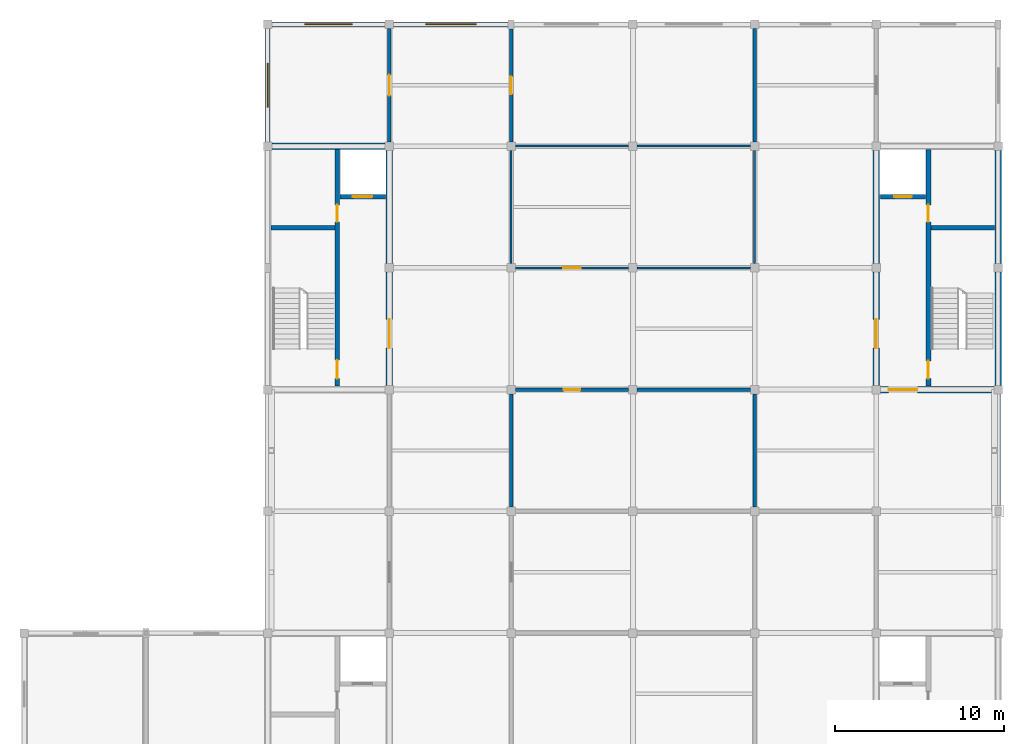
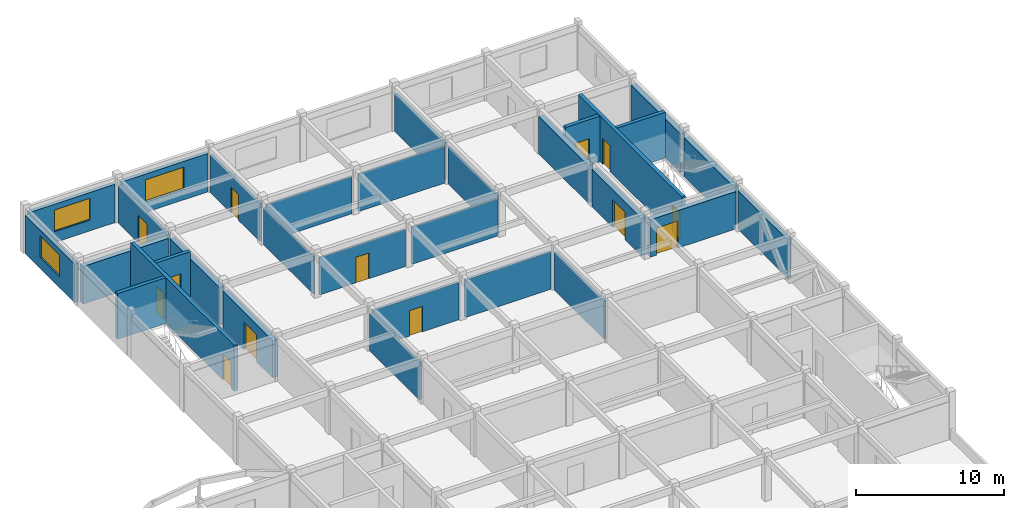
# One storey, part 8 of 10: 31 walls, 13 doors, 3 windows, 16 openings.
"""IFC4 building model written with IfcOpenShell, lengths in metres."""

from ifc_helpers import new_model, si_unit, direction, frame, frame_2d, origin, place, context, subcontext, project, spatial, rectangle, extrude, material, layer, layer_set, type_object, element, fill, save


model = new_model("IFC4")

# Units and contexts
model_context = context("Model", 3, precision=1e-05, world=origin(), true_north=direction((0.0, 1.0)))
body_context = subcontext(model_context, "Body", "Model", "MODEL_VIEW")
ifc_project = project(units=[si_unit("LENGTHUNIT", "METRE"), si_unit("AREAUNIT", "SQUARE_METRE"), si_unit("VOLUMEUNIT", "CUBIC_METRE"), si_unit("PLANEANGLEUNIT", "RADIAN"), si_unit("MASSUNIT", "GRAM", prefix="KILO")], contexts=[model_context])

# Site, building, storey
site_placement = place(None, origin())
site = spatial("IfcSite", under=ifc_project, at=site_placement, CompositionType="ELEMENT")
building_placement = place(site_placement, origin())
building = spatial("IfcBuilding", under=site, at=building_placement, Name="Cendaluz Park School", CompositionType="ELEMENT")
storey_placement = place(building_placement, frame((0.0, 0.0, 51.0)))
storey = spatial("IfcBuildingStorey", under=building, at=storey_placement, Name="L12", CompositionType="ELEMENT", Elevation=51.0)

# Wall, opening, door
ifc_material_1 = material(Name="Gypsum Plasterboard on Cold-Formed Stud", Category="gypsum")
ifc_layer_1 = layer(ifc_material_1, 0.199951171875)
ifc_layer_set_1 = layer_set([ifc_layer_1], Name="Gypsum Plasterboard on Cold-Formed Stud")
wall_type_1 = type_object("IfcWallType", Name="W-AC20", PredefinedType="PARTITIONING", material=ifc_layer_set_1)
wall_1_placement = place(storey_placement, frame((72.0, 57.85009765625, 0.0), z_axis=(0.0, 0.0, 1.0), x_axis=(0.0, 1.0, 0.0)))
wall_1 = element("IfcWall", 1, at=wall_1_placement, inside=storey, type_object=wall_type_1, Name="WL-FM-BL9", PredefinedType="PARTITIONING", context=body_context, shape_type="SweptSolid", body=[
    extrude(rectangle(XDim=6.699951171875, YDim=0.199951171875, at=frame_2d((3.35009765625, 0.0))), origin(), (0.0, 0.0, 1.0), 3.090087890625),
])
opening_1_placement = place(wall_1_placement, frame((2.72998046875, 0.0, 0.0)))
opening_1 = element("IfcOpeningElement", 2, at=opening_1_placement, cuts=wall_1, Name="Opening DCL-09", PredefinedType="OPENING", context=body_context, shape_type="SweptSolid", body=[
    extrude(rectangle(XDim=1.239990234375, YDim=2.260009765625, at=frame_2d((0.6201171875, 1.1298828125))), frame((0.0, 0.112060546875, 0.0), z_axis=(0.0, -1.0, 0.0), x_axis=(1.0, 0.0, 0.0)), (0.0, 0.0, 1.0), 0.223876953125),
])
ifc_material_2 = material(Name="Solid Core Hardwood", Category="wood")
door_type_1 = type_object("IfcDoorType", Name="DCL-09", OperationType="NOTDEFINED", PredefinedType="DOOR", material=ifc_material_2)
door_1_placement = place(opening_1_placement, origin())
door_1 = element("IfcDoor", 3, at=door_1_placement, inside=storey, type_object=door_type_1, Name="D-L12-024", OperationType="SINGLE_SWING_LEFT", OverallHeight=2.260009765625, OverallWidth=1.239990234375, PredefinedType="DOOR", context=body_context, shape_type="SweptSolid", body=[
    extrude(rectangle(XDim=1.239990234375, YDim=2.260009765625, at=frame_2d((0.6201171875, 1.1298828125))), frame((0.0, 0.02490234375, 0.0), z_axis=(0.0, -1.0, 0.0), x_axis=(1.0, 0.0, 0.0)), (0.0, 0.0, 1.0), 0.050048828125),
])
fill(opening_1, door_1)

wall_2_placement = place(storey_placement, frame((79.449951171875, 43.199951171875, 0.0), z_axis=(0.0, 0.0, 1.0), x_axis=(1.0, 0.0, 0.0)))
wall_2 = element("IfcWall", 4, at=wall_2_placement, inside=storey, type_object=wall_type_1, Name="WL-FM-BM3", PredefinedType="PARTITIONING", context=body_context, shape_type="SweptSolid", body=[
    extrude(rectangle(XDim=6.699951171875, YDim=0.199951171875, at=frame_2d((3.35009765625, 0.0))), origin(), (0.0, 0.0, 1.0), 3.090087890625),
])
opening_2_placement = place(wall_2_placement, frame((2.85009765625, 0.0, 0.0)))
opening_2 = element("IfcOpeningElement", 5, at=opening_2_placement, cuts=wall_2, Name="Opening DCL-01", PredefinedType="OPENING", context=body_context, shape_type="SweptSolid", body=[
    extrude(rectangle(XDim=1.0, YDim=2.10009765625, at=frame_2d((0.5, 1.050048828125))), frame((0.0, 0.112060546875, 0.0), z_axis=(0.0, -1.0, 0.0), x_axis=(1.0, 0.0, 0.0)), (0.0, 0.0, 1.0), 0.223876953125),
])
door_type_2 = type_object("IfcDoorType", Name="DCL-01", OperationType="NOTDEFINED", PredefinedType="DOOR", material=ifc_material_2)
door_2_placement = place(opening_2_placement, frame((1.0, 0.0, 0.0), z_axis=(0.0, 0.0, 1.0), x_axis=(-1.0, 0.0, 0.0)))
door_2 = element("IfcDoor", 6, at=door_2_placement, inside=storey, type_object=door_type_2, Name="D-L12-026", OperationType="SINGLE_SWING_LEFT", OverallHeight=2.10009765625, OverallWidth=1.0, PredefinedType="DOOR", context=body_context, shape_type="SweptSolid", body=[
    extrude(rectangle(XDim=1.0, YDim=2.10009765625, at=frame_2d((0.5, 1.050048828125))), frame((0.0, 0.02490234375, 0.0), z_axis=(0.0, -1.0, 0.0), x_axis=(1.0, 0.0, 0.0)), (0.0, 0.0, 1.0), 0.050048828125),
])
fill(opening_2, door_2)

# Walls
wall_3_placement = place(storey_placement, frame((79.199951171875, 36.25, 0.0), z_axis=(0.0, 0.0, 1.0), x_axis=(0.0, 1.0, 0.0)))
element("IfcWall", 7, at=wall_3_placement, inside=storey, type_object=wall_type_1, Name="WL-FM-BM4", PredefinedType="PARTITIONING", context=body_context, shape_type="SweptSolid", body=[
    extrude(rectangle(XDim=6.699951171875, YDim=0.199951171875, at=frame_2d((3.35009765625, 0.0))), origin(), (0.0, 0.0, 1.0), 3.090087890625),
])
wall_4_placement = place(storey_placement, frame((86.64990234375, 43.199951171875, 0.0), z_axis=(0.0, 0.0, 1.0), x_axis=(1.0, 0.0, 0.0)))
element("IfcWall", 8, at=wall_4_placement, inside=storey, type_object=wall_type_1, Name="WL-FM-BM5", PredefinedType="PARTITIONING", context=body_context, shape_type="SweptSolid", body=[
    extrude(rectangle(XDim=6.7001953125, YDim=0.199951171875, at=frame_2d((3.35009765625, 0.0))), origin(), (0.0, 0.0, 1.0), 3.090087890625),
])
wall_5_placement = place(storey_placement, frame((93.60009765625, 36.25, 0.0), z_axis=(0.0, 0.0, 1.0), x_axis=(0.0, 1.0, 0.0)))
element("IfcWall", 9, at=wall_5_placement, inside=storey, type_object=wall_type_1, Name="WL-FM-BM6", PredefinedType="PARTITIONING", context=body_context, shape_type="SweptSolid", body=[
    extrude(rectangle(XDim=6.699951171875, YDim=0.199951171875, at=frame_2d((3.35009765625, 0.0))), origin(), (0.0, 0.0, 1.0), 3.090087890625),
])

# Wall, opening, door
wall_6_placement = place(storey_placement, frame((79.199951171875, 57.85009765625, 0.0), z_axis=(0.0, 0.0, 1.0), x_axis=(0.0, 1.0, 0.0)))
wall_6 = element("IfcWall", 10, at=wall_6_placement, inside=storey, type_object=wall_type_1, Name="WL-FM-BN3", PredefinedType="PARTITIONING", context=body_context, shape_type="SweptSolid", body=[
    extrude(rectangle(XDim=6.68994140625, YDim=0.199951171875, at=frame_2d((3.344970703125, 0.0))), origin(), (0.0, 0.0, 1.0), 3.090087890625),
])
opening_3_placement = place(wall_6_placement, frame((2.824951171875, 0.0, 0.0)))
opening_3 = element("IfcOpeningElement", 11, at=opening_3_placement, cuts=wall_6, Name="Opening DCL-03", PredefinedType="OPENING", context=body_context, shape_type="SweptSolid", body=[
    extrude(rectangle(XDim=1.0400390625, YDim=2.139892578125, at=frame_2d((0.52001953125, 1.06982421875))), frame((0.0, 0.112060546875, 0.0), z_axis=(0.0, -1.0, 0.0), x_axis=(1.0, 0.0, 0.0)), (0.0, 0.0, 1.0), 0.223876953125),
])
door_type_3 = type_object("IfcDoorType", Name="DCL-03", OperationType="NOTDEFINED", PredefinedType="DOOR", material=ifc_material_2)
door_3_placement = place(opening_3_placement, frame((1.0400390625, 0.0, 0.0), z_axis=(0.0, 0.0, 1.0), x_axis=(-1.0, 0.0, 0.0)))
door_3 = element("IfcDoor", 12, at=door_3_placement, inside=storey, type_object=door_type_3, Name="D-L12-028", OperationType="SINGLE_SWING_LEFT", OverallHeight=2.139892578125, OverallWidth=1.0400390625, PredefinedType="DOOR", context=body_context, shape_type="SweptSolid", body=[
    extrude(rectangle(XDim=1.0400390625, YDim=2.139892578125, at=frame_2d((0.52001953125, 1.06982421875))), frame((0.0, 0.02490234375, 0.0), z_axis=(0.0, -1.0, 0.0), x_axis=(1.0, 0.0, 0.0)), (0.0, 0.0, 1.0), 0.050048828125),
])
fill(opening_3, door_3)

# Wall
wall_7_placement = place(storey_placement, frame((93.60009765625, 57.85009765625, 0.0), z_axis=(0.0, 0.0, 1.0), x_axis=(0.0, 1.0, 0.0)))
element("IfcWall", 13, at=wall_7_placement, inside=storey, type_object=wall_type_1, Name="WL-FM-BN4", PredefinedType="PARTITIONING", context=body_context, shape_type="SweptSolid", body=[
    extrude(rectangle(XDim=6.699951171875, YDim=0.199951171875, at=frame_2d((3.35009765625, 0.0))), origin(), (0.0, 0.0, 1.0), 3.090087890625),
])

# Wall, opening, window
ifc_material_3 = material(Name="Cross-laminated timber CLT C24", Category="wood")
ifc_layer_2 = layer(ifc_material_3, 0.300048828125)
ifc_layer_set_2 = layer_set([ifc_layer_2], Name="Cross-laminated timber CLT C24")
wall_type_2 = type_object("IfcWallType", Name="W-EX30", PredefinedType="SOLIDWALL", material=ifc_layer_set_2)
wall_8_placement = place(storey_placement, frame((65.050048828125, 64.800048828125, 0.0), z_axis=(0.0, 0.0, 1.0), x_axis=(1.0, 0.0, 0.0)))
wall_8 = element("IfcWall", 14, at=wall_8_placement, inside=storey, type_object=wall_type_2, Name="WL-FM-AB0", PredefinedType="SOLIDWALL", context=body_context, shape_type="SweptSolid", body=[
    extrude(rectangle(XDim=6.699951171875, YDim=0.300048828125, at=frame_2d((3.35009765625, 0.0))), origin(), (0.0, 0.0, 1.0), 3.169921875),
])
opening_4_placement = place(wall_8_placement, frame((1.949951171875, 0.0, 0.89990234375)))
opening_4 = element("IfcOpeningElement", 15, at=opening_4_placement, cuts=wall_8, Name="Opening WN-06", PredefinedType="OPENING", context=body_context, shape_type="SweptSolid", body=[
    extrude(rectangle(XDim=2.800048828125, YDim=1.800048828125, at=frame_2d((1.39990234375, 0.89990234375))), frame((0.0, 0.162109375, 0.0), z_axis=(0.0, -1.0, 0.0), x_axis=(1.0, 0.0, 0.0)), (0.0, 0.0, 1.0), 0.323974609375),
])
ifc_material_4 = material(Name="Tempered Low-E Double Glazing", Category="glass")
window_type_1 = type_object("IfcWindowType", Name="WN-06", PartitioningType="SINGLE_PANEL", PredefinedType="WINDOW", material=ifc_material_4)
window_1_placement = place(opening_4_placement, origin())
window_1 = element("IfcWindow", 16, at=window_1_placement, inside=storey, type_object=window_type_1, Name="WN-L12-009", OverallHeight=1.800048828125, OverallWidth=2.800048828125, PartitioningType="SINGLE_PANEL", PredefinedType="WINDOW", context=body_context, shape_type="SweptSolid", body=[
    extrude(rectangle(XDim=2.800048828125, YDim=1.800048828125, at=frame_2d((1.39990234375, 0.89990234375))), frame((0.0, 0.030029296875, 0.0), z_axis=(0.0, -1.0, 0.0), x_axis=(1.0, 0.0, 0.0)), (0.0, 0.0, 1.0), 0.06005859375),
])
fill(opening_4, window_1)

wall_9_placement = place(storey_placement, frame((64.800048828125, 57.85009765625, 0.0), z_axis=(0.0, 0.0, 1.0), x_axis=(0.0, 1.0, 0.0)))
wall_9 = element("IfcWall", 17, at=wall_9_placement, inside=storey, type_object=wall_type_2, Name="WL-FM-AB1", PredefinedType="SOLIDWALL", context=body_context, shape_type="SweptSolid", body=[
    extrude(rectangle(XDim=6.699951171875, YDim=0.300048828125, at=frame_2d((3.35009765625, 0.0))), origin(), (0.0, 0.0, 1.0), 3.169921875),
])
opening_5_placement = place(wall_9_placement, frame((2.050048828125, 0.0, 0.89990234375)))
opening_5 = element("IfcOpeningElement", 18, at=opening_5_placement, cuts=wall_9, Name="Opening WN-05", PredefinedType="OPENING", context=body_context, shape_type="SweptSolid", body=[
    extrude(rectangle(XDim=2.60009765625, YDim=1.800048828125, at=frame_2d((1.300048828125, 0.89990234375))), frame((0.0, 0.162109375, 0.0), z_axis=(0.0, -1.0, 0.0), x_axis=(1.0, 0.0, 0.0)), (0.0, 0.0, 1.0), 0.323974609375),
])
window_type_2 = type_object("IfcWindowType", Name="WN-05", PartitioningType="SINGLE_PANEL", PredefinedType="WINDOW", material=ifc_material_4)
window_2_placement = place(opening_5_placement, origin())
window_2 = element("IfcWindow", 19, at=window_2_placement, inside=storey, type_object=window_type_2, Name="WN-L12-010", OverallHeight=1.800048828125, OverallWidth=2.60009765625, PartitioningType="SINGLE_PANEL", PredefinedType="WINDOW", context=body_context, shape_type="SweptSolid", body=[
    extrude(rectangle(XDim=2.60009765625, YDim=1.800048828125, at=frame_2d((1.300048828125, 0.89990234375))), frame((0.0, 0.030029296875, 0.0), z_axis=(0.0, -1.0, 0.0), x_axis=(1.0, 0.0, 0.0)), (0.0, 0.0, 1.0), 0.06005859375),
])
fill(opening_5, window_2)

wall_10_placement = place(storey_placement, frame((72.25, 64.800048828125, 0.0), z_axis=(0.0, 0.0, 1.0), x_axis=(1.0, 0.0, 0.0)))
wall_10 = element("IfcWall", 20, at=wall_10_placement, inside=storey, type_object=wall_type_2, Name="WL-FM-AB3", PredefinedType="SOLIDWALL", context=body_context, shape_type="SweptSolid", body=[
    extrude(rectangle(XDim=6.77001953125, YDim=0.300048828125, at=frame_2d((3.385009765625, 0.0))), origin(), (0.0, 0.0, 1.0), 3.169921875),
])
opening_6_placement = place(wall_10_placement, frame((1.885009765625, 0.0, 0.89990234375)))
opening_6 = element("IfcOpeningElement", 21, at=opening_6_placement, cuts=wall_10, Name="Opening WN-07", PredefinedType="OPENING", context=body_context, shape_type="SweptSolid", body=[
    extrude(rectangle(XDim=3.0, YDim=1.800048828125, at=frame_2d((1.5, 0.89990234375))), frame((0.0, 0.162109375, 0.0), z_axis=(0.0, -1.0, 0.0), x_axis=(1.0, 0.0, 0.0)), (0.0, 0.0, 1.0), 0.323974609375),
])
window_type_3 = type_object("IfcWindowType", Name="WN-07", PartitioningType="SINGLE_PANEL", PredefinedType="WINDOW", material=ifc_material_4)
window_3_placement = place(opening_6_placement, origin())
window_3 = element("IfcWindow", 22, at=window_3_placement, inside=storey, type_object=window_type_3, Name="WN-L12-012", OverallHeight=1.800048828125, OverallWidth=3.0, PartitioningType="SINGLE_PANEL", PredefinedType="WINDOW", context=body_context, shape_type="SweptSolid", body=[
    extrude(rectangle(XDim=3.0, YDim=1.800048828125, at=frame_2d((1.5, 0.89990234375))), frame((0.0, 0.030029296875, 0.0), z_axis=(0.0, -1.0, 0.0), x_axis=(1.0, 0.0, 0.0)), (0.0, 0.0, 1.0), 0.06005859375),
])
fill(opening_6, window_3)

# Wall
wall_11_placement = place(storey_placement, frame((108.0, 36.260009765625, 0.0), z_axis=(0.0, 0.0, 1.0), x_axis=(0.0, 1.0, 0.0)))
element("IfcWall", 23, at=wall_11_placement, inside=storey, type_object=wall_type_2, Name="WL-FM-AC2", PredefinedType="SOLIDWALL", context=body_context, shape_type="SweptSolid", body=[
    extrude(rectangle(XDim=6.68994140625, YDim=0.300048828125, at=frame_2d((3.344970703125, 0.0))), origin(), (0.0, 0.0, 1.0), 3.169921875),
])

# Wall, openings, doors
ifc_material_5 = material(Name="Concrete C40/50", Category="concrete")
ifc_layer_3 = layer(ifc_material_5, 0.280029296875)
ifc_layer_set_3 = layer_set([ifc_layer_3], Name="Concrete C40/50")
wall_type_3 = type_object("IfcWallType", Name="W-FW28", PredefinedType="SHEAR", material=ifc_layer_set_3)
wall_12_placement = place(storey_placement, frame((68.919921875, 43.39990234375, 0.0), z_axis=(0.0, 0.0, 1.0), x_axis=(0.0, 1.0, 0.0)))
wall_12 = element("IfcWall", 24, at=wall_12_placement, inside=storey, type_object=wall_type_3, Name="WL-FM-BJ1", PredefinedType="SHEAR", context=body_context, shape_type="SweptSolid", body=[
    extrude(rectangle(XDim=14.0, YDim=0.280029296875, at=frame_2d((7.0, 0.0))), origin(), (0.0, 0.0, 1.0), 3.780029296875),
])
opening_7_placement = place(wall_12_placement, frame((0.449951171875, 0.0, 0.0)))
opening_7 = element("IfcOpeningElement", 25, at=opening_7_placement, cuts=wall_12, Name="Opening DST-01", PredefinedType="OPENING", context=body_context, shape_type="SweptSolid", body=[
    extrude(rectangle(XDim=1.10009765625, YDim=2.14990234375, at=frame_2d((0.550048828125, 1.074951171875))), frame((0.0, 0.152099609375, 0.0), z_axis=(0.0, -1.0, 0.0), x_axis=(1.0, 0.0, 0.0)), (0.0, 0.0, 1.0), 0.303955078125),
])
opening_8_placement = place(wall_12_placement, frame((9.719970703125, 0.0, 0.0)))
opening_8 = element("IfcOpeningElement", 26, at=opening_8_placement, cuts=wall_12, Name="Opening DFC-01", PredefinedType="OPENING", context=body_context, shape_type="SweptSolid", body=[
    extrude(rectangle(XDim=1.0, YDim=2.14990234375, at=frame_2d((0.5, 1.074951171875))), frame((0.0, 0.152099609375, 0.0), z_axis=(0.0, -1.0, 0.0), x_axis=(1.0, 0.0, 0.0)), (0.0, 0.0, 1.0), 0.303955078125),
])
door_type_4 = type_object("IfcDoorType", Name="DFC-01", OperationType="NOTDEFINED", PredefinedType="DOOR", material=ifc_material_2)
door_4_placement = place(opening_8_placement, origin())
door_4 = element("IfcDoor", 27, at=door_4_placement, inside=storey, type_object=door_type_4, Name="D-L12-012", OperationType="SINGLE_SWING_RIGHT", OverallHeight=2.14990234375, OverallWidth=1.0, PredefinedType="DOOR", context=body_context, shape_type="SweptSolid", body=[
    extrude(rectangle(XDim=1.0, YDim=2.14990234375, at=frame_2d((0.5, 1.074951171875))), frame((0.0, 0.02490234375, 0.0), z_axis=(0.0, -1.0, 0.0), x_axis=(1.0, 0.0, 0.0)), (0.0, 0.0, 1.0), 0.050048828125),
])
fill(opening_8, door_4)
door_type_5 = type_object("IfcDoorType", Name="DST-01", OperationType="NOTDEFINED", PredefinedType="DOOR", material=ifc_material_2)
door_5_placement = place(opening_7_placement, origin())
door_5 = element("IfcDoor", 28, at=door_5_placement, inside=storey, type_object=door_type_5, Name="D-L12-011", OperationType="SINGLE_SWING_LEFT", OverallHeight=2.14990234375, OverallWidth=1.10009765625, PredefinedType="DOOR", context=body_context, shape_type="SweptSolid", body=[
    extrude(rectangle(XDim=1.10009765625, YDim=2.14990234375, at=frame_2d((0.550048828125, 1.074951171875))), frame((0.0, 0.02490234375, 0.0), z_axis=(0.0, -1.0, 0.0), x_axis=(1.0, 0.0, 0.0)), (0.0, 0.0, 1.0), 0.050048828125),
])
fill(opening_7, door_5)

# Wall
wall_13_placement = place(storey_placement, frame((65.0, 52.780029296875, 0.0), z_axis=(0.0, 0.0, 1.0), x_axis=(1.0, 0.0, 0.0)))
element("IfcWall", 29, at=wall_13_placement, inside=storey, type_object=wall_type_3, Name="WL-FM-BJ2", PredefinedType="SHEAR", context=body_context, shape_type="SweptSolid", body=[
    extrude(rectangle(XDim=3.780029296875, YDim=0.280029296875, at=frame_2d((1.89013671875, 0.0))), origin(), (0.0, 0.0, 1.0), 3.780029296875),
])

# Wall, opening, door
wall_14_placement = place(storey_placement, frame((69.080078125, 54.60009765625, 0.0), z_axis=(0.0, 0.0, 1.0), x_axis=(1.0, 0.0, 0.0)))
wall_14 = element("IfcWall", 30, at=wall_14_placement, inside=storey, type_object=wall_type_3, Name="WL-FM-BJ3", PredefinedType="SHEAR", context=body_context, shape_type="SweptSolid", body=[
    extrude(rectangle(XDim=2.679931640625, YDim=0.280029296875, at=frame_2d((1.33984375, 0.0))), origin(), (0.0, 0.0, 1.0), 3.780029296875),
])
opening_9_placement = place(wall_14_placement, frame((0.764892578125, 0.0, 0.0)))
opening_9 = element("IfcOpeningElement", 31, at=opening_9_placement, cuts=wall_14, Name="Opening LD-01", PredefinedType="OPENING", context=body_context, shape_type="SweptSolid", body=[
    extrude(rectangle(XDim=1.14990234375, YDim=2.199951171875, at=frame_2d((0.574951171875, 1.10009765625))), frame((0.0, 0.152099609375, 0.0), z_axis=(0.0, -1.0, 0.0), x_axis=(1.0, 0.0, 0.0)), (0.0, 0.0, 1.0), 0.303955078125),
])
ifc_material_6 = material(Name="Stainless Steel 316L", Category="steel")
door_type_6 = type_object("IfcDoorType", Name="LD-01", OperationType="DOUBLE_DOOR_SLIDING", PredefinedType="DOOR", material=ifc_material_6)
door_6_placement = place(opening_9_placement, frame((1.14990234375, 0.0, 0.0), z_axis=(0.0, 0.0, 1.0), x_axis=(-1.0, 0.0, 0.0)))
door_6 = element("IfcDoor", 32, at=door_6_placement, inside=storey, type_object=door_type_6, Name="D-L12-013", OperationType="DOUBLE_DOOR_SLIDING", OverallHeight=2.199951171875, OverallWidth=1.14990234375, PredefinedType="DOOR", context=body_context, shape_type="SweptSolid", body=[
    extrude(rectangle(XDim=1.14990234375, YDim=2.199951171875, at=frame_2d((0.574951171875, 1.10009765625))), frame((0.0, 0.02490234375, 0.0), z_axis=(0.0, -1.0, 0.0), x_axis=(1.0, 0.0, 0.0)), (0.0, 0.0, 1.0), 0.050048828125),
])
fill(opening_9, door_6)

# Wall, openings, doors
wall_15_placement = place(storey_placement, frame((103.8798828125, 43.39990234375, 0.0), z_axis=(0.0, 0.0, 1.0), x_axis=(0.0, 1.0, 0.0)))
wall_15 = element("IfcWall", 33, at=wall_15_placement, inside=storey, type_object=wall_type_3, Name="WL-FM-BK0", PredefinedType="SHEAR", context=body_context, shape_type="SweptSolid", body=[
    extrude(rectangle(XDim=14.0, YDim=0.280029296875, at=frame_2d((7.0, 0.0))), origin(), (0.0, 0.0, 1.0), 3.780029296875),
])
opening_10_placement = place(wall_15_placement, frame((0.449951171875, 0.0, 0.0)))
opening_10 = element("IfcOpeningElement", 34, at=opening_10_placement, cuts=wall_15, Name="Opening DST-02", PredefinedType="OPENING", context=body_context, shape_type="SweptSolid", body=[
    extrude(rectangle(XDim=1.050048828125, YDim=2.14990234375, at=frame_2d((0.52490234375, 1.074951171875))), frame((0.0, 0.152099609375, 0.0), z_axis=(0.0, -1.0, 0.0), x_axis=(1.0, 0.0, 0.0)), (0.0, 0.0, 1.0), 0.303955078125),
])
opening_11_placement = place(wall_15_placement, frame((9.719970703125, 0.0, 0.0)))
opening_11 = element("IfcOpeningElement", 35, at=opening_11_placement, cuts=wall_15, Name="Opening DFC-01", PredefinedType="OPENING", context=body_context, shape_type="SweptSolid", body=[
    extrude(rectangle(XDim=1.0, YDim=2.14990234375, at=frame_2d((0.5, 1.074951171875))), frame((0.0, 0.152099609375, 0.0), z_axis=(0.0, -1.0, 0.0), x_axis=(1.0, 0.0, 0.0)), (0.0, 0.0, 1.0), 0.303955078125),
])
door_7_placement = place(opening_11_placement, frame((1.0, 0.0, 0.0), z_axis=(0.0, 0.0, 1.0), x_axis=(-1.0, 0.0, 0.0)))
door_7 = element("IfcDoor", 36, at=door_7_placement, inside=storey, type_object=door_type_4, Name="D-L12-017", OperationType="SINGLE_SWING_RIGHT", OverallHeight=2.14990234375, OverallWidth=1.0, PredefinedType="DOOR", context=body_context, shape_type="SweptSolid", body=[
    extrude(rectangle(XDim=1.0, YDim=2.14990234375, at=frame_2d((0.5, 1.074951171875))), frame((0.0, 0.02490234375, 0.0), z_axis=(0.0, -1.0, 0.0), x_axis=(1.0, 0.0, 0.0)), (0.0, 0.0, 1.0), 0.050048828125),
])
fill(opening_11, door_7)
door_type_7 = type_object("IfcDoorType", Name="DST-02", OperationType="NOTDEFINED", PredefinedType="DOOR", material=ifc_material_2)
door_8_placement = place(opening_10_placement, frame((1.050048828125, 0.0, 0.0), z_axis=(0.0, 0.0, 1.0), x_axis=(-1.0, 0.0, 0.0)))
door_8 = element("IfcDoor", 37, at=door_8_placement, inside=storey, type_object=door_type_7, Name="D-L12-016", OperationType="SINGLE_SWING_RIGHT", OverallHeight=2.14990234375, OverallWidth=1.050048828125, PredefinedType="DOOR", context=body_context, shape_type="SweptSolid", body=[
    extrude(rectangle(XDim=1.050048828125, YDim=2.14990234375, at=frame_2d((0.52490234375, 1.074951171875))), frame((0.0, 0.02490234375, 0.0), z_axis=(0.0, -1.0, 0.0), x_axis=(1.0, 0.0, 0.0)), (0.0, 0.0, 1.0), 0.050048828125),
])
fill(opening_10, door_8)

# Wall
wall_16_placement = place(storey_placement, frame((104.02001953125, 52.780029296875, 0.0), z_axis=(0.0, 0.0, 1.0), x_axis=(1.0, 0.0, 0.0)))
element("IfcWall", 38, at=wall_16_placement, inside=storey, type_object=wall_type_3, Name="WL-FM-BK1", PredefinedType="SHEAR", context=body_context, shape_type="SweptSolid", body=[
    extrude(rectangle(XDim=3.780029296875, YDim=0.280029296875, at=frame_2d((1.89013671875, 0.0))), origin(), (0.0, 0.0, 1.0), 3.780029296875),
])

# Wall, opening, door
wall_17_placement = place(storey_placement, frame((101.0400390625, 54.60009765625, 0.0), z_axis=(0.0, 0.0, 1.0), x_axis=(1.0, 0.0, 0.0)))
wall_17 = element("IfcWall", 39, at=wall_17_placement, inside=storey, type_object=wall_type_3, Name="WL-FM-BK2", PredefinedType="SHEAR", context=body_context, shape_type="SweptSolid", body=[
    extrude(rectangle(XDim=2.679931640625, YDim=0.280029296875, at=frame_2d((1.33984375, 0.0))), origin(), (0.0, 0.0, 1.0), 3.780029296875),
])
opening_12_placement = place(wall_17_placement, frame((0.81494140625, 0.0, 0.0)))
opening_12 = element("IfcOpeningElement", 40, at=opening_12_placement, cuts=wall_17, Name="Opening LD-02", PredefinedType="OPENING", context=body_context, shape_type="SweptSolid", body=[
    extrude(rectangle(XDim=1.050048828125, YDim=2.199951171875, at=frame_2d((0.52490234375, 1.10009765625))), frame((0.0, 0.152099609375, 0.0), z_axis=(0.0, -1.0, 0.0), x_axis=(1.0, 0.0, 0.0)), (0.0, 0.0, 1.0), 0.303955078125),
])
door_type_8 = type_object("IfcDoorType", Name="LD-02", OperationType="DOUBLE_DOOR_SLIDING", PredefinedType="DOOR", material=ifc_material_6)
door_9_placement = place(opening_12_placement, frame((1.050048828125, 0.0, 0.0), z_axis=(0.0, 0.0, 1.0), x_axis=(-1.0, 0.0, 0.0)))
door_9 = element("IfcDoor", 41, at=door_9_placement, inside=storey, type_object=door_type_8, Name="D-L12-018", OperationType="DOUBLE_DOOR_SLIDING", OverallHeight=2.199951171875, OverallWidth=1.050048828125, PredefinedType="DOOR", context=body_context, shape_type="SweptSolid", body=[
    extrude(rectangle(XDim=1.050048828125, YDim=2.199951171875, at=frame_2d((0.52490234375, 1.10009765625))), frame((0.0, 0.02490234375, 0.0), z_axis=(0.0, -1.0, 0.0), x_axis=(1.0, 0.0, 0.0)), (0.0, 0.0, 1.0), 0.050048828125),
])
fill(opening_12, door_9)

ifc_layer_4 = layer(ifc_material_1, 0.1201171875)
ifc_layer_set_4 = layer_set([ifc_layer_4], Name="Gypsum Plasterboard on Cold-Formed Stud")
wall_type_4 = type_object("IfcWallType", Name="W-MV12", PredefinedType="MOVABLE", material=ifc_layer_set_4)
wall_18_placement = place(storey_placement, frame((79.449951171875, 50.39990234375, 0.0), z_axis=(0.0, 0.0, 1.0), x_axis=(1.0, 0.0, 0.0)))
wall_18 = element("IfcWall", 42, at=wall_18_placement, inside=storey, type_object=wall_type_4, Name="WL-FM-BM7", PredefinedType="MOVABLE", context=body_context, shape_type="SweptSolid", body=[
    extrude(rectangle(XDim=6.699951171875, YDim=0.1201171875, at=frame_2d((3.35009765625, 0.0))), origin(), (0.0, 0.0, 1.0), 3.090087890625),
])
opening_13_placement = place(wall_18_placement, frame((2.840087890625, 0.0, 0.0)))
opening_13 = element("IfcOpeningElement", 43, at=opening_13_placement, cuts=wall_18, Name="Opening DCL-02", PredefinedType="OPENING", context=body_context, shape_type="SweptSolid", body=[
    extrude(rectangle(XDim=1.02001953125, YDim=2.1201171875, at=frame_2d((0.510009765625, 1.06005859375))), frame((0.0, 0.072021484375, 0.0), z_axis=(0.0, -1.0, 0.0), x_axis=(1.0, 0.0, 0.0)), (0.0, 0.0, 1.0), 0.14404296875),
])
door_type_9 = type_object("IfcDoorType", Name="DCL-02", OperationType="NOTDEFINED", PredefinedType="DOOR", material=ifc_material_2)
door_10_placement = place(opening_13_placement, origin())
door_10 = element("IfcDoor", 44, at=door_10_placement, inside=storey, type_object=door_type_9, Name="D-L12-027", OperationType="SINGLE_SWING_RIGHT", OverallHeight=2.1201171875, OverallWidth=1.02001953125, PredefinedType="DOOR", context=body_context, shape_type="SweptSolid", body=[
    extrude(rectangle(XDim=1.02001953125, YDim=2.1201171875, at=frame_2d((0.510009765625, 1.06005859375))), frame((0.0, 0.02490234375, 0.0), z_axis=(0.0, -1.0, 0.0), x_axis=(1.0, 0.0, 0.0)), (0.0, 0.0, 1.0), 0.050048828125),
])
fill(opening_13, door_10)

# Walls
wall_19_placement = place(storey_placement, frame((79.449951171875, 57.60009765625, 0.0), z_axis=(0.0, 0.0, 1.0), x_axis=(1.0, 0.0, 0.0)))
element("IfcWall", 45, at=wall_19_placement, inside=storey, type_object=wall_type_4, Name="WL-FM-BM8", PredefinedType="MOVABLE", context=body_context, shape_type="SweptSolid", body=[
    extrude(rectangle(XDim=6.699951171875, YDim=0.1201171875, at=frame_2d((3.35009765625, 0.0))), origin(), (0.0, 0.0, 1.0), 3.090087890625),
])
for number, where, z_axis, x_axis, name in (
    (46, (79.199951171875, 50.64990234375, 0.0), (0.0, 0.0, 1.0), (0.0, 1.0, 0.0), "WL-FM-BM9"),
    (47, (86.64990234375, 50.39990234375, 0.0), (0.0, 0.0, 1.0), (1.0, 0.0, 0.0), "WL-FM-BN0"),
    (48, (86.64990234375, 57.60009765625, 0.0), (0.0, 0.0, 1.0), (1.0, 0.0, 0.0), "WL-FM-BN1"),
    (49, (93.60009765625, 50.64990234375, 0.0), (0.0, 0.0, 1.0), (0.0, 1.0, 0.0), "WL-FM-BN2"),
):
    element("IfcWall", number, at=place(storey_placement, frame(where, z_axis=z_axis, x_axis=x_axis)), inside=storey, type_object=wall_type_4, Name=name, PredefinedType="MOVABLE", context=body_context, shape_type="SweptSolid", body=[
        extrude(rectangle(XDim=6.7001953125, YDim=0.1201171875, at=frame_2d((3.35009765625, 0.0))), origin(), (0.0, 0.0, 1.0), 3.090087890625),
    ])

# Wall, opening, door
ifc_layer_5 = layer(ifc_material_5, 0.3798828125)
ifc_layer_set_5 = layer_set([ifc_layer_5], Name="Concrete C40/50")
wall_type_5 = type_object("IfcWallType", Name="W-SH38", PredefinedType="SHEAR", material=ifc_layer_set_5)
wall_20_placement = place(storey_placement, frame((72.0, 43.449951171875, 0.0), z_axis=(0.0, 0.0, 1.0), x_axis=(0.0, 1.0, 0.0)))
wall_20 = element("IfcWall", 50, at=wall_20_placement, inside=storey, type_object=wall_type_5, Name="WL-FM-BI7", PredefinedType="SHEAR", context=body_context, shape_type="SweptSolid", body=[
    extrude(rectangle(XDim=6.699951171875, YDim=0.3798828125, at=frame_2d((3.35009765625, 0.0))), origin(), (0.0, 0.0, 1.0), 3.090087890625),
])
opening_14_placement = place(wall_20_placement, frame((2.199951171875, 0.0, 0.0)))
opening_14 = element("IfcOpeningElement", 51, at=opening_14_placement, cuts=wall_20, Name="Opening DLB-02", PredefinedType="OPENING", context=body_context, shape_type="SweptSolid", body=[
    extrude(rectangle(XDim=1.699951171875, YDim=2.25, at=frame_2d((0.85009765625, 1.125))), frame((0.0, 0.201904296875, 0.0), z_axis=(0.0, -1.0, 0.0), x_axis=(1.0, 0.0, 0.0)), (0.0, 0.0, 1.0), 0.40380859375),
])
door_type_10 = type_object("IfcDoorType", Name="DLB-02", OperationType="DOUBLE_DOOR_SINGLE_SWING", PredefinedType="DOOR", material=ifc_material_2)
door_11_placement = place(opening_14_placement, origin())
door_11 = element("IfcDoor", 52, at=door_11_placement, inside=storey, type_object=door_type_10, Name="D-L12-010", OperationType="DOUBLE_DOOR_SINGLE_SWING", OverallHeight=2.25, OverallWidth=1.699951171875, PredefinedType="DOOR", context=body_context, shape_type="SweptSolid", body=[
    extrude(rectangle(XDim=1.699951171875, YDim=2.25, at=frame_2d((0.85009765625, 1.125))), frame((0.0, 0.02490234375, 0.0), z_axis=(0.0, -1.0, 0.0), x_axis=(1.0, 0.0, 0.0)), (0.0, 0.0, 1.0), 0.050048828125),
])
fill(opening_14, door_11)

# Walls
wall_21_placement = place(storey_placement, frame((72.0, 50.64990234375, 0.0), z_axis=(0.0, 0.0, 1.0), x_axis=(0.0, 1.0, 0.0)))
element("IfcWall", 53, at=wall_21_placement, inside=storey, type_object=wall_type_5, Name="WL-FM-BI8", PredefinedType="SHEAR", context=body_context, shape_type="SweptSolid", body=[
    extrude(rectangle(XDim=6.7001953125, YDim=0.3798828125, at=frame_2d((3.35009765625, 0.0))), origin(), (0.0, 0.0, 1.0), 3.090087890625),
])
wall_22_placement = place(storey_placement, frame((65.050048828125, 57.60009765625, 0.0), z_axis=(0.0, 0.0, 1.0), x_axis=(1.0, 0.0, 0.0)))
element("IfcWall", 54, at=wall_22_placement, inside=storey, type_object=wall_type_5, Name="WL-FM-BJ0", PredefinedType="SHEAR", context=body_context, shape_type="SweptSolid", body=[
    extrude(rectangle(XDim=6.699951171875, YDim=0.3798828125, at=frame_2d((3.35009765625, 0.0))), origin(), (0.0, 0.0, 1.0), 3.090087890625),
])

# Wall, opening, door
wall_23_placement = place(storey_placement, frame((100.800048828125, 43.449951171875, 0.0), z_axis=(0.0, 0.0, 1.0), x_axis=(0.0, 1.0, 0.0)))
wall_23 = element("IfcWall", 55, at=wall_23_placement, inside=storey, type_object=wall_type_5, Name="WL-FM-BJ4", PredefinedType="SHEAR", context=body_context, shape_type="SweptSolid", body=[
    extrude(rectangle(XDim=6.699951171875, YDim=0.3798828125, at=frame_2d((3.35009765625, 0.0))), origin(), (0.0, 0.0, 1.0), 3.090087890625),
])
opening_15_placement = place(wall_23_placement, frame((2.199951171875, 0.0, 0.0)))
opening_15 = element("IfcOpeningElement", 56, at=opening_15_placement, cuts=wall_23, Name="Opening DLB-02", PredefinedType="OPENING", context=body_context, shape_type="SweptSolid", body=[
    extrude(rectangle(XDim=1.699951171875, YDim=2.25, at=frame_2d((0.85009765625, 1.125))), frame((0.0, 0.201904296875, 0.0), z_axis=(0.0, -1.0, 0.0), x_axis=(1.0, 0.0, 0.0)), (0.0, 0.0, 1.0), 0.40380859375),
])
door_12_placement = place(opening_15_placement, frame((1.699951171875, 0.0, 0.0), z_axis=(0.0, 0.0, 1.0), x_axis=(-1.0, 0.0, 0.0)))
door_12 = element("IfcDoor", 57, at=door_12_placement, inside=storey, type_object=door_type_10, Name="D-L12-014", OperationType="DOUBLE_DOOR_SINGLE_SWING", OverallHeight=2.25, OverallWidth=1.699951171875, PredefinedType="DOOR", context=body_context, shape_type="SweptSolid", body=[
    extrude(rectangle(XDim=1.699951171875, YDim=2.25, at=frame_2d((0.85009765625, 1.125))), frame((0.0, 0.02490234375, 0.0), z_axis=(0.0, -1.0, 0.0), x_axis=(1.0, 0.0, 0.0)), (0.0, 0.0, 1.0), 0.050048828125),
])
fill(opening_15, door_12)

# Walls
wall_24_placement = place(storey_placement, frame((100.800048828125, 50.64990234375, 0.0), z_axis=(0.0, 0.0, 1.0), x_axis=(0.0, 1.0, 0.0)))
element("IfcWall", 58, at=wall_24_placement, inside=storey, type_object=wall_type_5, Name="WL-FM-BJ5", PredefinedType="SHEAR", context=body_context, shape_type="SweptSolid", body=[
    extrude(rectangle(XDim=6.7001953125, YDim=0.3798828125, at=frame_2d((3.35009765625, 0.0))), origin(), (0.0, 0.0, 1.0), 3.090087890625),
])
wall_25_placement = place(storey_placement, frame((108.0, 43.449951171875, 0.0), z_axis=(0.0, 0.0, 1.0), x_axis=(0.0, 1.0, 0.0)))
element("IfcWall", 59, at=wall_25_placement, inside=storey, type_object=wall_type_5, Name="WL-FM-BJ6", PredefinedType="SHEAR", context=body_context, shape_type="SweptSolid", body=[
    extrude(rectangle(XDim=6.699951171875, YDim=0.3798828125, at=frame_2d((3.35009765625, 0.0))), origin(), (0.0, 0.0, 1.0), 3.169921875),
])
wall_26_placement = place(storey_placement, frame((108.0, 50.64990234375, 0.0), z_axis=(0.0, 0.0, 1.0), x_axis=(0.0, 1.0, 0.0)))
element("IfcWall", 60, at=wall_26_placement, inside=storey, type_object=wall_type_5, Name="WL-FM-BJ7", PredefinedType="SHEAR", context=body_context, shape_type="SweptSolid", body=[
    extrude(rectangle(XDim=6.7001953125, YDim=0.3798828125, at=frame_2d((3.35009765625, 0.0))), origin(), (0.0, 0.0, 1.0), 3.169921875),
])

# Wall, opening, door
wall_27_placement = place(storey_placement, frame((101.050048828125, 43.199951171875, 0.0), z_axis=(0.0, 0.0, 1.0), x_axis=(1.0, 0.0, 0.0)))
wall_27 = element("IfcWall", 61, at=wall_27_placement, inside=storey, type_object=wall_type_5, Name="WL-FM-BJ8", PredefinedType="SHEAR", context=body_context, shape_type="SweptSolid", body=[
    extrude(rectangle(XDim=6.699951171875, YDim=0.3798828125, at=frame_2d((3.35009765625, 0.0))), origin(), (0.0, 0.0, 1.0), 3.090087890625),
])
opening_16_placement = place(wall_27_placement, frame((0.47998046875, 0.0, 0.0)))
opening_16 = element("IfcOpeningElement", 62, at=opening_16_placement, cuts=wall_27, Name="Opening DLB-02", PredefinedType="OPENING", context=body_context, shape_type="SweptSolid", body=[
    extrude(rectangle(XDim=1.699951171875, YDim=2.25, at=frame_2d((0.85009765625, 1.125))), frame((0.0, 0.201904296875, 0.0), z_axis=(0.0, -1.0, 0.0), x_axis=(1.0, 0.0, 0.0)), (0.0, 0.0, 1.0), 0.40380859375),
])
door_13_placement = place(opening_16_placement, origin())
door_13 = element("IfcDoor", 63, at=door_13_placement, inside=storey, type_object=door_type_10, Name="D-L12-015", OperationType="DOUBLE_DOOR_SINGLE_SWING", OverallHeight=2.25, OverallWidth=1.699951171875, PredefinedType="DOOR", context=body_context, shape_type="SweptSolid", body=[
    extrude(rectangle(XDim=1.699951171875, YDim=2.25, at=frame_2d((0.85009765625, 1.125))), frame((0.0, 0.02490234375, 0.0), z_axis=(0.0, -1.0, 0.0), x_axis=(1.0, 0.0, 0.0)), (0.0, 0.0, 1.0), 0.050048828125),
])
fill(opening_16, door_13)

save(model, "model.ifc")
